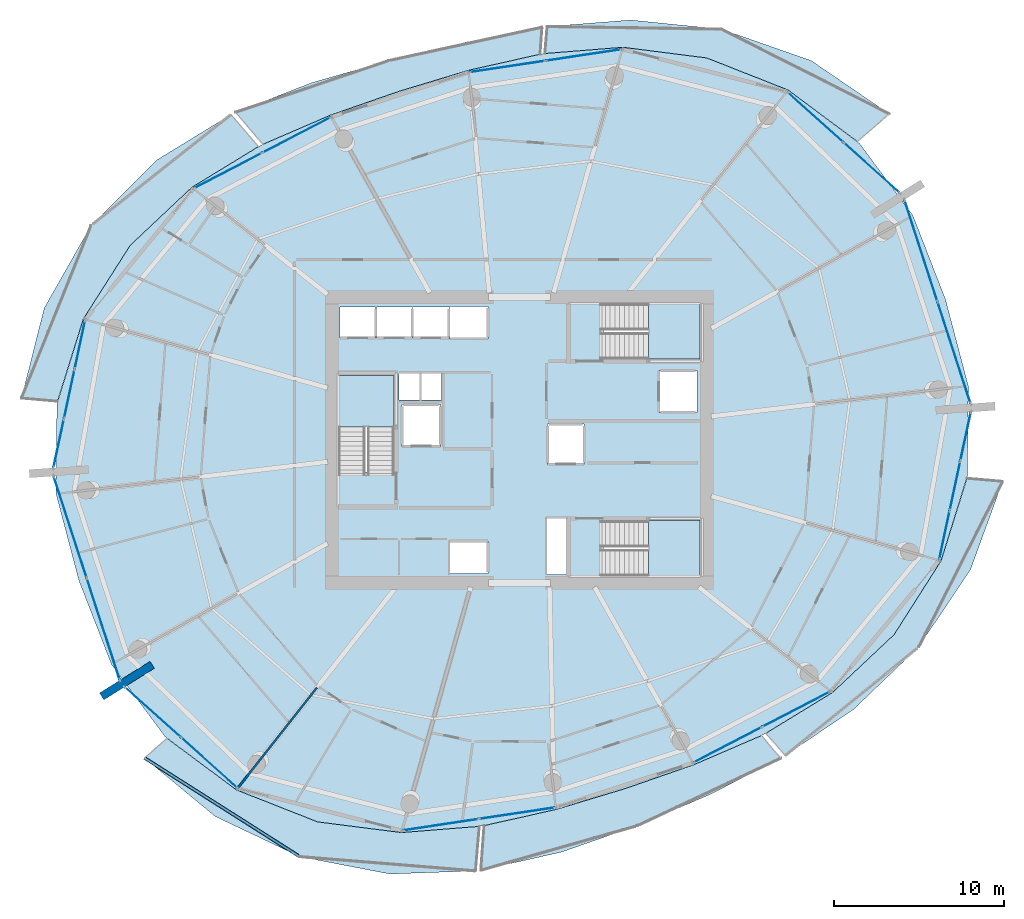
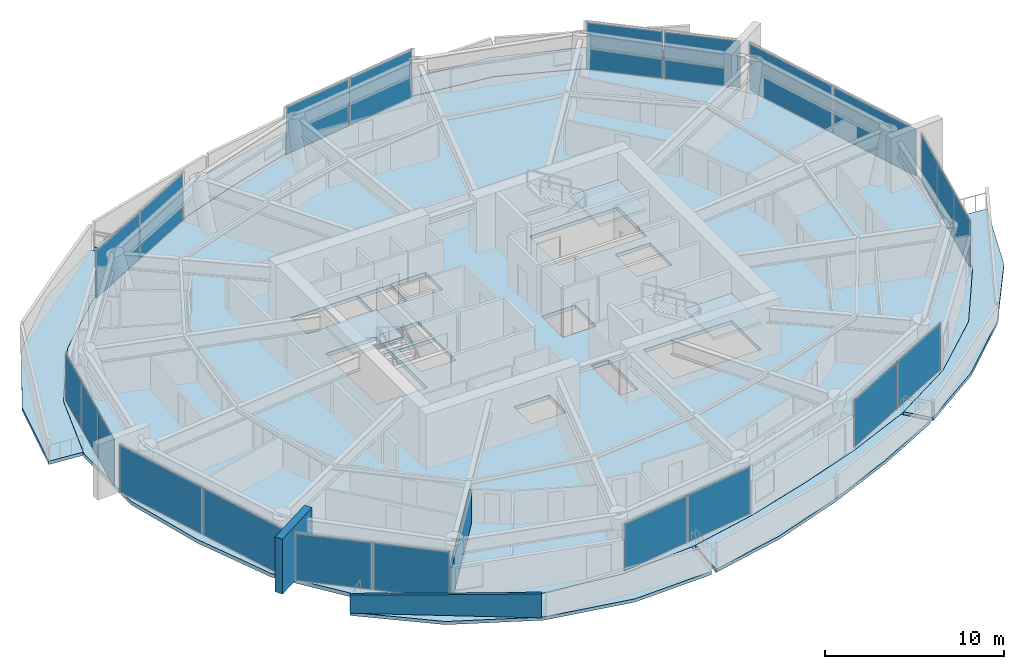
# One storey, part 9 of 19: 22 plates, 10 slabs, 3 walls, 13 elements without a shape of their own.
"""IFC4 building model written with IfcOpenShell, lengths in metres."""

from ifc_helpers import new_model, si_unit, direction, frame, frame_2d, origin, origin_2d, place, context, subcontext, project, spatial, polyline, rectangle, outline, extrude, material, layer, layer_set, type_object, element, aggregate, save


model = new_model("IFC4")

# Units and contexts
model_context = context("Model", 3, precision=1e-05, world=origin(), true_north=direction((0.0, 1.0)))
body_context = subcontext(model_context, "Body", "Model", "MODEL_VIEW")
ifc_project = project(units=[si_unit("LENGTHUNIT", "METRE"), si_unit("AREAUNIT", "SQUARE_METRE"), si_unit("VOLUMEUNIT", "CUBIC_METRE"), si_unit("PLANEANGLEUNIT", "RADIAN"), si_unit("MASSUNIT", "GRAM", prefix="KILO")], contexts=[model_context])

# Site, building, storey
site_placement = place(None, origin())
site = spatial("IfcSite", under=ifc_project, at=site_placement, CompositionType="ELEMENT")
building_placement = place(site_placement, origin())
building = spatial("IfcBuilding", under=site, at=building_placement, Name="Kazma Halo Residences", CompositionType="ELEMENT")
storey_placement = place(building_placement, frame((0.0, 0.0, 172.800048828125)))
storey = spatial("IfcBuildingStorey", under=building, at=storey_placement, Name="L43", CompositionType="ELEMENT", Elevation=172.800048828125)

# Curtain wall, plates
ifc_material_1 = material(Name="Aluminium AW-6063 T6 and Triple-Silver Low-E Glass", Category="aluminium")
ifc_layer_1 = layer(ifc_material_1, 0.219970703125)
ifc_layer_set_1 = layer_set([ifc_layer_1], Name="Aluminium AW-6063 T6 and Triple-Silver Low-E Glass")
curtain_wall_type = type_object("IfcCurtainWallType", Name="CW-SYS-4", PredefinedType="NOTDEFINED", material=ifc_layer_set_1)
curtain_wall_1_placement = place(storey_placement, origin())
curtain_wall_1 = element("IfcCurtainWall", 1, at=curtain_wall_1_placement, inside=storey, type_object=curtain_wall_type, Name="L43 unitised curtain wall B01", PredefinedType="NOTDEFINED")
ifc_material_2 = material(Name="Clear Triple-Silver Low-E Glass IGU", Category="glass")
ifc_layer_2 = layer(ifc_material_2, 0.033935546875)
ifc_layer_set_2 = layer_set([ifc_layer_2], Name="Clear Triple-Silver Low-E Glass IGU")
plate_type = type_object("IfcPlateType", Name="CW-SYS-4-PNL", PredefinedType="CURTAIN_PANEL", material=ifc_layer_set_2)
plate_1_placement = place(storey_placement, frame((69.126708984375, 58.008056640625, 0.0751953125), z_axis=(0.0, 0.0, 1.0), x_axis=(-0.744367582957, 0.667770096247, 0.0)))
plate_1 = element("IfcPlate", 2, at=plate_1_placement, type_object=plate_type, Name="CWS-4 panel 1.1", PredefinedType="CURTAIN_PANEL", context=body_context, shape_type="SweptSolid", body=[
    extrude(rectangle(XDim=4.36279296875, YDim=0.033935546875, at=origin_2d()), origin(), (0.0, 0.0, 1.0), 3.199951171875),
])
plate_2_placement = place(storey_placement, frame((65.823486328125, 60.971435546875, 0.0751953125), z_axis=(0.0, 0.0, 1.0), x_axis=(-0.744367582957, 0.667770096247, 0.0)))
plate_2 = element("IfcPlate", 3, at=plate_2_placement, type_object=plate_type, Name="CWS-4 panel 2.1", PredefinedType="CURTAIN_PANEL", context=body_context, shape_type="SweptSolid", body=[
    extrude(rectangle(XDim=4.36279296875, YDim=0.033935546875, at=origin_2d()), origin(), (0.0, 0.0, 1.0), 3.199951171875),
])
aggregate(curtain_wall_1, [plate_1, plate_2])

curtain_wall_2_placement = place(storey_placement, origin())
curtain_wall_2 = element("IfcCurtainWall", 4, at=curtain_wall_2_placement, inside=storey, type_object=curtain_wall_type, Name="L43 unitised curtain wall B03", PredefinedType="NOTDEFINED")
plate_3_placement = place(storey_placement, frame((52.200439453125, 64.625732421875, 0.0751953125), z_axis=(0.0, 0.0, 1.0), x_axis=(-0.988864148004, -0.148821022686, 0.0)))
plate_3 = element("IfcPlate", 5, at=plate_3_placement, type_object=plate_type, Name="CWS-4 panel 1.1", PredefinedType="CURTAIN_PANEL", context=body_context, shape_type="SweptSolid", body=[
    extrude(rectangle(XDim=4.4560546875, YDim=0.033935546875, at=origin_2d()), origin(), (0.0, 0.0, 1.0), 3.199951171875),
])
plate_4_placement = place(storey_placement, frame((47.7197265625, 63.951416015625, 0.0751953125), z_axis=(0.0, 0.0, 1.0), x_axis=(-0.988864148004, -0.148821022686, 0.0)))
plate_4 = element("IfcPlate", 6, at=plate_4_placement, type_object=plate_type, Name="CWS-4 panel 2.1", PredefinedType="CURTAIN_PANEL", context=body_context, shape_type="SweptSolid", body=[
    extrude(rectangle(XDim=4.4560546875, YDim=0.033935546875, at=origin_2d()), origin(), (0.0, 0.0, 1.0), 3.199951171875),
])
aggregate(curtain_wall_2, [plate_3, plate_4])

curtain_wall_3_placement = place(storey_placement, origin())
curtain_wall_3 = element("IfcCurtainWall", 7, at=curtain_wall_3_placement, inside=storey, type_object=curtain_wall_type, Name="L43 unitised curtain wall B05", PredefinedType="NOTDEFINED")
plate_5_placement = place(storey_placement, frame((35.323974609375, 59.923828125, 0.0751953125), z_axis=(0.0, 0.0, 1.0), x_axis=(-0.887484542306, -0.460837484552, 0.0)))
plate_5 = element("IfcPlate", 8, at=plate_5_placement, type_object=plate_type, Name="CWS-4 panel 1.1", PredefinedType="CURTAIN_PANEL", context=body_context, shape_type="SweptSolid", body=[
    extrude(rectangle(XDim=4.4560546875, YDim=0.033935546875, at=origin_2d()), origin(), (0.0, 0.0, 1.0), 3.199951171875),
])
plate_6_placement = place(storey_placement, frame((31.302734375, 57.835693359375, 0.0751953125), z_axis=(0.0, 0.0, 1.0), x_axis=(-0.887484542306, -0.460837484552, 0.0)))
plate_6 = element("IfcPlate", 9, at=plate_6_placement, type_object=plate_type, Name="CWS-4 panel 2.1", PredefinedType="CURTAIN_PANEL", context=body_context, shape_type="SweptSolid", body=[
    extrude(rectangle(XDim=4.4560546875, YDim=0.033935546875, at=origin_2d()), origin(), (0.0, 0.0, 1.0), 3.199951171875),
])
aggregate(curtain_wall_3, [plate_5, plate_6])

curtain_wall_4_placement = place(storey_placement, origin())
curtain_wall_4 = element("IfcCurtainWall", 10, at=curtain_wall_4_placement, inside=storey, type_object=curtain_wall_type, Name="L43 unitised curtain wall B07", PredefinedType="NOTDEFINED")
plate_7_placement = place(storey_placement, frame((22.5859375, 47.601318359375, 0.0751953125), z_axis=(0.0, 0.0, 1.0), x_axis=(-0.209703809037, -0.977764957684, 0.0)))
plate_7 = element("IfcPlate", 11, at=plate_7_placement, type_object=plate_type, Name="CWS-4 panel 1.1", PredefinedType="CURTAIN_PANEL", context=body_context, shape_type="SweptSolid", body=[
    extrude(rectangle(XDim=2.87109375, YDim=0.033935546875, at=origin_2d()), origin(), (0.0, 0.0, 1.0), 3.199951171875),
])
plate_8_placement = place(storey_placement, frame((21.964111328125, 44.702392578125, 0.0751953125), z_axis=(0.0, 0.0, 1.0), x_axis=(-0.209703809037, -0.977764957684, 0.0)))
plate_8 = element("IfcPlate", 12, at=plate_8_placement, type_object=plate_type, Name="CWS-4 panel 2.1", PredefinedType="CURTAIN_PANEL", context=body_context, shape_type="SweptSolid", body=[
    extrude(rectangle(XDim=2.90869140625, YDim=0.033935546875, at=origin_2d()), origin(), (0.0, 0.0, 1.0), 3.199951171875),
])
plate_9_placement = place(storey_placement, frame((21.34228515625, 41.803466796875, 0.0751953125), z_axis=(0.0, 0.0, 1.0), x_axis=(-0.209703809037, -0.977764957684, 0.0)))
plate_9 = element("IfcPlate", 13, at=plate_9_placement, type_object=plate_type, Name="CWS-4 panel 3.1", PredefinedType="CURTAIN_PANEL", context=body_context, shape_type="SweptSolid", body=[
    extrude(rectangle(XDim=2.87109375, YDim=0.033935546875, at=origin_2d()), origin(), (0.0, 0.0, 1.0), 3.199951171875),
])
aggregate(curtain_wall_4, [plate_7, plate_8, plate_9])

curtain_wall_5_placement = place(storey_placement, origin())
curtain_wall_5 = element("IfcCurtainWall", 14, at=curtain_wall_5_placement, inside=storey, type_object=curtain_wall_type, Name="L43 unitised curtain wall B08", PredefinedType="NOTDEFINED")
plate_10_placement = place(storey_placement, frame((22.017578125, 36.869873046875, 0.0751953125), z_axis=(0.0, 0.0, 1.0), x_axis=(0.3090138203, -0.951057547609, 0.0)))
plate_10 = element("IfcPlate", 15, at=plate_10_placement, type_object=plate_type, Name="CWS-4 panel 1.1", PredefinedType="CURTAIN_PANEL", context=body_context, shape_type="SweptSolid", body=[
    extrude(rectangle(XDim=6.224853515625, YDim=0.033935546875, at=origin_2d()), origin(), (0.0, 0.0, 1.0), 3.199951171875),
])
plate_11_placement = place(storey_placement, frame((23.96435546875, 30.878173828125, 0.0751953125), z_axis=(0.0, 0.0, 1.0), x_axis=(0.3090138203, -0.951057547609, 0.0)))
plate_11 = element("IfcPlate", 16, at=plate_11_placement, type_object=plate_type, Name="CWS-4 panel 2.1", PredefinedType="CURTAIN_PANEL", context=body_context, shape_type="SweptSolid", body=[
    extrude(rectangle(XDim=6.224853515625, YDim=0.033935546875, at=origin_2d()), origin(), (0.0, 0.0, 1.0), 3.199951171875),
])
aggregate(curtain_wall_5, [plate_10, plate_11])

curtain_wall_6_placement = place(storey_placement, origin())
curtain_wall_6 = element("IfcCurtainWall", 17, at=curtain_wall_6_placement, inside=storey, type_object=curtain_wall_type, Name="L43 unitised curtain wall B09", PredefinedType="NOTDEFINED")
plate_12_placement = place(storey_placement, frame((26.873291015625, 25.991943359375, 0.0751953125), z_axis=(0.0, 0.0, 1.0), x_axis=(0.744367582957, -0.667770096247, 0.0)))
plate_12 = element("IfcPlate", 18, at=plate_12_placement, type_object=plate_type, Name="CWS-4 panel 1.1", PredefinedType="CURTAIN_PANEL", context=body_context, shape_type="SweptSolid", body=[
    extrude(rectangle(XDim=4.36279296875, YDim=0.033935546875, at=origin_2d()), origin(), (0.0, 0.0, 1.0), 3.199951171875),
])
plate_13_placement = place(storey_placement, frame((30.176513671875, 23.028564453125, 0.0751953125), z_axis=(0.0, 0.0, 1.0), x_axis=(0.744367582957, -0.667770096247, 0.0)))
plate_13 = element("IfcPlate", 19, at=plate_13_placement, type_object=plate_type, Name="CWS-4 panel 2.1", PredefinedType="CURTAIN_PANEL", context=body_context, shape_type="SweptSolid", body=[
    extrude(rectangle(XDim=4.36279296875, YDim=0.033935546875, at=origin_2d()), origin(), (0.0, 0.0, 1.0), 3.199951171875),
])
aggregate(curtain_wall_6, [plate_12, plate_13])

curtain_wall_7_placement = place(storey_placement, origin())
curtain_wall_7 = element("IfcCurtainWall", 20, at=curtain_wall_7_placement, inside=storey, type_object=curtain_wall_type, Name="L43 unitised curtain wall B11", PredefinedType="NOTDEFINED")
plate_14_placement = place(storey_placement, frame((43.799560546875, 19.374267578125, 0.0751953125), z_axis=(0.0, 0.0, 1.0), x_axis=(0.988864148004, 0.148821022686, 0.0)))
plate_14 = element("IfcPlate", 21, at=plate_14_placement, type_object=plate_type, Name="CWS-4 panel 1.1", PredefinedType="CURTAIN_PANEL", context=body_context, shape_type="SweptSolid", body=[
    extrude(rectangle(XDim=4.4560546875, YDim=0.033935546875, at=origin_2d()), origin(), (0.0, 0.0, 1.0), 3.199951171875),
])
plate_15_placement = place(storey_placement, frame((48.2802734375, 20.048583984375, 0.0751953125), z_axis=(0.0, 0.0, 1.0), x_axis=(0.988864148004, 0.148821022686, 0.0)))
plate_15 = element("IfcPlate", 22, at=plate_15_placement, type_object=plate_type, Name="CWS-4 panel 2.1", PredefinedType="CURTAIN_PANEL", context=body_context, shape_type="SweptSolid", body=[
    extrude(rectangle(XDim=4.4560546875, YDim=0.033935546875, at=origin_2d()), origin(), (0.0, 0.0, 1.0), 3.199951171875),
])
aggregate(curtain_wall_7, [plate_14, plate_15])

curtain_wall_8_placement = place(storey_placement, origin())
curtain_wall_8 = element("IfcCurtainWall", 23, at=curtain_wall_8_placement, inside=storey, type_object=curtain_wall_type, Name="L43 unitised curtain wall B13", PredefinedType="NOTDEFINED")
plate_16_placement = place(storey_placement, frame((60.676025390625, 24.076171875, 0.0751953125), z_axis=(0.0, 0.0, 1.0), x_axis=(0.887484542306, 0.460837484552, 0.0)))
plate_16 = element("IfcPlate", 24, at=plate_16_placement, type_object=plate_type, Name="CWS-4 panel 1.1", PredefinedType="CURTAIN_PANEL", context=body_context, shape_type="SweptSolid", body=[
    extrude(rectangle(XDim=4.4560546875, YDim=0.033935546875, at=origin_2d()), origin(), (0.0, 0.0, 1.0), 3.199951171875),
])
plate_17_placement = place(storey_placement, frame((64.697265625, 26.164306640625, 0.0751953125), z_axis=(0.0, 0.0, 1.0), x_axis=(0.887484542306, 0.460837484552, 0.0)))
plate_17 = element("IfcPlate", 25, at=plate_17_placement, type_object=plate_type, Name="CWS-4 panel 2.1", PredefinedType="CURTAIN_PANEL", context=body_context, shape_type="SweptSolid", body=[
    extrude(rectangle(XDim=4.4560546875, YDim=0.033935546875, at=origin_2d()), origin(), (0.0, 0.0, 1.0), 3.199951171875),
])
aggregate(curtain_wall_8, [plate_16, plate_17])

curtain_wall_9_placement = place(storey_placement, origin())
curtain_wall_9 = element("IfcCurtainWall", 26, at=curtain_wall_9_placement, inside=storey, type_object=curtain_wall_type, Name="L43 unitised curtain wall B15", PredefinedType="NOTDEFINED")
plate_18_placement = place(storey_placement, frame((73.4140625, 36.398681640625, 0.0751953125), z_axis=(0.0, 0.0, 1.0), x_axis=(0.209703809037, 0.977764957684, 0.0)))
plate_18 = element("IfcPlate", 27, at=plate_18_placement, type_object=plate_type, Name="CWS-4 panel 1.1", PredefinedType="CURTAIN_PANEL", context=body_context, shape_type="SweptSolid", body=[
    extrude(rectangle(XDim=2.87109375, YDim=0.033935546875, at=origin_2d()), origin(), (0.0, 0.0, 1.0), 3.199951171875),
])
plate_19_placement = place(storey_placement, frame((74.035888671875, 39.297607421875, 0.0751953125), z_axis=(0.0, 0.0, 1.0), x_axis=(0.209703809037, 0.977764957684, 0.0)))
plate_19 = element("IfcPlate", 28, at=plate_19_placement, type_object=plate_type, Name="CWS-4 panel 2.1", PredefinedType="CURTAIN_PANEL", context=body_context, shape_type="SweptSolid", body=[
    extrude(rectangle(XDim=2.90869140625, YDim=0.033935546875, at=origin_2d()), origin(), (0.0, 0.0, 1.0), 3.199951171875),
])
plate_20_placement = place(storey_placement, frame((74.65771484375, 42.196533203125, 0.0751953125), z_axis=(0.0, 0.0, 1.0), x_axis=(0.209703809037, 0.977764957684, 0.0)))
plate_20 = element("IfcPlate", 29, at=plate_20_placement, type_object=plate_type, Name="CWS-4 panel 3.1", PredefinedType="CURTAIN_PANEL", context=body_context, shape_type="SweptSolid", body=[
    extrude(rectangle(XDim=2.87109375, YDim=0.033935546875, at=origin_2d()), origin(), (0.0, 0.0, 1.0), 3.199951171875),
])
aggregate(curtain_wall_9, [plate_18, plate_19, plate_20])

curtain_wall_10_placement = place(storey_placement, origin())
curtain_wall_10 = element("IfcCurtainWall", 30, at=curtain_wall_10_placement, inside=storey, type_object=curtain_wall_type, Name="L43 unitised curtain wall B16", PredefinedType="NOTDEFINED")
plate_21_placement = place(storey_placement, frame((73.982421875, 47.130126953125, 0.0751953125), z_axis=(0.0, 0.0, 1.0), x_axis=(-0.3090138203, 0.951057547609, 0.0)))
plate_21 = element("IfcPlate", 31, at=plate_21_placement, type_object=plate_type, Name="CWS-4 panel 1.1", PredefinedType="CURTAIN_PANEL", context=body_context, shape_type="SweptSolid", body=[
    extrude(rectangle(XDim=6.224853515625, YDim=0.033935546875, at=origin_2d()), origin(), (0.0, 0.0, 1.0), 3.199951171875),
])
plate_22_placement = place(storey_placement, frame((72.03564453125, 53.121826171875, 0.0751953125), z_axis=(0.0, 0.0, 1.0), x_axis=(-0.3090138203, 0.951057547609, 0.0)))
plate_22 = element("IfcPlate", 32, at=plate_22_placement, type_object=plate_type, Name="CWS-4 panel 2.1", PredefinedType="CURTAIN_PANEL", context=body_context, shape_type="SweptSolid", body=[
    extrude(rectangle(XDim=6.224853515625, YDim=0.033935546875, at=origin_2d()), origin(), (0.0, 0.0, 1.0), 3.199951171875),
])
aggregate(curtain_wall_10, [plate_21, plate_22])

# Slabs
ifc_material_3 = material(Name="White Concrete C50/60", Category="concrete")
ifc_layer_3 = layer(ifc_material_3, 0.219970703125)
ifc_layer_set_3 = layer_set([ifc_layer_3], Name="White Concrete C50/60")
slab_type_1 = type_object("IfcSlabType", Name="SLB-BAL-WAVE-210", PredefinedType="FLOOR", material=ifc_layer_set_3)
slab_1_placement = place(storey_placement, frame((0.0, 0.0, -0.219970703125)))
element("IfcSlab", 33, at=slab_1_placement, inside=storey, type_object=slab_type_1, Name="L43 NE cantilevered wave balcony slab", PredefinedType="FLOOR", context=body_context, shape_type="SweptSolid", body=[
    extrude(outline(polyline([(68.294677734375, 59.548583984375), (64.21923828125, 62.573974609375), (59.442626953125, 64.45751953125), (54.510986328125, 65.0859375), (49.927978515625, 64.720458984375), (50.062255859375, 66.3037109375), (54.962890625, 66.68896484375), (60.3046875, 66.1494140625), (65.580810546875, 64.30126953125), (70.169921875, 61.170166015625), (68.294677734375, 59.548583984375)])), origin(), (0.0, 0.0, 1.0), 0.219970703125),
])
slab_2_placement = place(storey_placement, frame((0.0, 0.0, -0.219970703125)))
element("IfcSlab", 34, at=slab_2_placement, inside=storey, type_object=slab_type_1, Name="L43 NNW cantilevered wave balcony slab", PredefinedType="FLOOR", context=body_context, shape_type="SweptSolid", body=[
    extrude(outline(polyline([(49.6455078125, 64.67822265625), (45.427978515625, 63.72998046875), (41.3408203125, 62.494873046875), (37.30810546875, 61.091552734375), (33.3388671875, 59.3798828125), (31.749267578125, 61.264404296875), (36.2333984375, 63.010498046875), (40.75390625, 64.30078125), (45.232421875, 65.3837890625), (49.76025390625, 66.258544921875), (49.6455078125, 64.67822265625)])), origin(), (0.0, 0.0, 1.0), 0.219970703125),
])
slab_3_placement = place(storey_placement, frame((0.0, 0.0, -0.219970703125)))
element("IfcSlab", 35, at=slab_3_placement, inside=storey, type_object=slab_type_1, Name="L43 NW cantilevered wave balcony slab", PredefinedType="FLOOR", context=body_context, shape_type="SweptSolid", body=[
    extrude(outline(polyline([(33.08544921875, 59.248046875), (29.1630859375, 56.849853515625), (25.54248046875, 53.442626953125), (22.78515625, 49.111328125), (21.2666015625, 44.268310546875), (19.146484375, 44.4482421875), (20.48779296875, 49.75927734375), (23.2451171875, 54.61328125), (27.114990234375, 58.464599609375), (31.46142578125, 61.12646484375), (33.08544921875, 59.248046875)])), origin(), (0.0, 0.0, 1.0), 0.219970703125),
])
slab_4_placement = place(storey_placement, frame((0.0, 0.0, -0.219970703125)))
element("IfcSlab", 36, at=slab_4_placement, inside=storey, type_object=slab_type_1, Name="L43 SW cantilevered wave balcony slab", PredefinedType="FLOOR", context=body_context, shape_type="SweptSolid", body=[
    extrude(outline(polyline([(27.705322265625, 24.451416015625), (31.78076171875, 21.426025390625), (36.557373046875, 19.54248046875), (41.489013671875, 18.9140625), (46.072021484375, 19.279541015625), (45.849853515625, 16.66015625), (40.80224609375, 16.478759765625), (35.5146484375, 17.49609375), (30.544677734375, 19.85791015625), (26.376220703125, 23.302001953125), (27.705322265625, 24.451416015625)])), origin(), (0.0, 0.0, 1.0), 0.219970703125),
])
slab_5_placement = place(storey_placement, frame((0.0, 0.0, -0.219970703125)))
element("IfcSlab", 37, at=slab_5_placement, inside=storey, type_object=slab_type_1, Name="L43 SSE cantilevered wave balcony slab", PredefinedType="FLOOR", context=body_context, shape_type="SweptSolid", body=[
    extrude(outline(polyline([(46.3544921875, 19.32177734375), (50.572021484375, 20.27001953125), (54.6591796875, 21.505126953125), (58.69189453125, 22.908447265625), (62.6611328125, 24.6201171875), (63.785400390625, 23.287353515625), (59.667236328125, 21.16650390625), (55.368896484375, 19.320556640625), (50.869384765625, 17.75732421875), (46.16455078125, 16.704345703125), (46.3544921875, 19.32177734375)])), origin(), (0.0, 0.0, 1.0), 0.219970703125),
])
slab_6_placement = place(storey_placement, frame((0.0, 0.0, -0.219970703125)))
element("IfcSlab", 38, at=slab_6_placement, inside=storey, type_object=slab_type_1, Name="L43 SE cantilevered wave balcony slab", PredefinedType="FLOOR", context=body_context, shape_type="SweptSolid", body=[
    extrude(outline(polyline([(62.91455078125, 24.751953125), (66.8369140625, 27.150146484375), (70.45751953125, 30.557373046875), (73.21484375, 34.888671875), (74.7333984375, 39.731689453125), (76.834716796875, 39.55322265625), (74.9560546875, 34.397705078125), (71.898681640625, 29.822998046875), (68.083984375, 26.1669921875), (64.048828125, 23.43994140625), (62.91455078125, 24.751953125)])), origin(), (0.0, 0.0, 1.0), 0.219970703125),
])
ifc_material_4 = material(Name="Concrete C50/60", Category="concrete")
ifc_layer_4 = layer(ifc_material_4, 0.25)
ifc_layer_set_4 = layer_set([ifc_layer_4], Name="Concrete C50/60")
slab_type_2 = type_object("IfcSlabType", Name="SLB-RES-250", PredefinedType="FLOOR", material=ifc_layer_set_4)
slab_7_placement = place(storey_placement, frame((0.0, 0.0, -0.25)))
element("IfcSlab", 39, at=slab_7_placement, inside=storey, type_object=slab_type_2, Name="L43 structural floor slab", PredefinedType="FLOOR", context=body_context, shape_type="SweptSolid", body=[
    extrude(outline(polyline([(73.47265625, 50.276611328125), (71.56201171875, 55.1953125), (68.41796875, 59.438720703125), (64.218017578125, 62.572509765625), (59.441650390625, 64.45556640625), (54.510498046875, 65.083984375), (49.787109375, 64.706298828125), (45.42822265625, 63.727783203125), (41.341552734375, 62.492919921875), (37.30908203125, 61.08984375), (33.2080078125, 59.3193359375), (29.16455078125, 56.8486328125), (25.54443359375, 53.441650390625), (22.787109375, 49.110595703125), (21.2314453125, 44.106689453125), (21.181884765625, 38.825927734375), (22.52734375, 33.723388671875), (24.43798828125, 28.8046875), (27.58203125, 24.561279296875), (31.781982421875, 21.427490234375), (36.558349609375, 19.54443359375), (41.489501953125, 18.916015625), (46.212890625, 19.293701171875), (50.57177734375, 20.272216796875), (54.658447265625, 21.507080078125), (58.69091796875, 22.91015625), (62.7919921875, 24.6806640625), (66.83544921875, 27.1513671875), (70.45556640625, 30.558349609375), (73.212890625, 34.889404296875), (74.7685546875, 39.893310546875), (74.818115234375, 45.174072265625), (73.47265625, 50.276611328125)]), holes=[polyline([(37.800048828125, 40.110107421875), (41.050048828125, 40.110107421875), (41.050048828125, 45.800048828125), (37.800048828125, 45.800048828125), (37.800048828125, 40.110107421875)]), polyline([(53.360107421875, 46.75), (59.050048828125, 46.75), (59.050048828125, 50.0), (53.360107421875, 50.0), (53.360107421875, 46.75)]), polyline([(53.360107421875, 34.0), (59.050048828125, 34.0), (59.050048828125, 37.25), (53.360107421875, 37.25), (53.360107421875, 34.0)]), polyline([(41.52001953125, 41.6201171875), (43.780029296875, 41.6201171875), (43.780029296875, 44.080078125), (41.52001953125, 44.080078125), (41.52001953125, 41.6201171875)]), polyline([(56.6201171875, 43.6201171875), (58.8798828125, 43.6201171875), (58.8798828125, 46.080078125), (56.6201171875, 46.080078125), (56.6201171875, 43.6201171875)]), polyline([(37.864990234375, 47.9951171875), (39.97509765625, 47.9951171875), (39.97509765625, 49.804931640625), (37.864990234375, 49.804931640625), (37.864990234375, 47.9951171875)]), polyline([(40.014892578125, 47.9951171875), (42.125, 47.9951171875), (42.125, 49.804931640625), (40.014892578125, 49.804931640625), (40.014892578125, 47.9951171875)]), polyline([(42.1650390625, 47.9951171875), (44.27490234375, 47.9951171875), (44.27490234375, 49.804931640625), (42.1650390625, 49.804931640625), (42.1650390625, 47.9951171875)]), polyline([(44.320068359375, 47.945068359375), (46.580078125, 47.945068359375), (46.580078125, 49.85498046875), (44.320068359375, 49.85498046875), (44.320068359375, 47.945068359375)]), polyline([(44.320068359375, 34.14501953125), (46.580078125, 34.14501953125), (46.580078125, 36.054931640625), (44.320068359375, 36.054931640625), (44.320068359375, 34.14501953125)]), polyline([(50.070068359375, 40.570068359375), (52.22998046875, 40.570068359375), (52.22998046875, 42.929931640625), (50.070068359375, 42.929931640625), (50.070068359375, 40.570068359375)]), polyline([(41.360107421875, 44.340087890625), (42.5400390625, 44.340087890625), (42.5400390625, 45.89990234375), (41.360107421875, 45.89990234375), (41.360107421875, 44.340087890625)]), polyline([(42.659912109375, 44.340087890625), (43.840087890625, 44.340087890625), (43.840087890625, 45.89990234375), (42.659912109375, 45.89990234375), (42.659912109375, 44.340087890625)]), polyline([(50.06005859375, 34.080078125), (51.159912109375, 34.080078125), (51.159912109375, 37.3798828125), (50.06005859375, 37.3798828125), (50.06005859375, 34.080078125)])]), origin(), (0.0, 0.0, 1.0), 0.25),
])

# Stair, slab
stair_type = type_object("IfcStairType", Name="STR-RES1", PredefinedType="HALF_TURN_STAIR", material=ifc_material_4)
stair_1_placement = place(storey_placement, origin())
stair_1 = element("IfcStair", 40, at=stair_1_placement, inside=storey, type_object=stair_type, Name="L43 Core exit stair ST-01", PredefinedType="HALF_TURN_STAIR")
ifc_layer_5 = layer(ifc_material_4, 0.199951171875)
ifc_layer_set_5 = layer_set([ifc_layer_5], Name="Concrete C50/60")
slab_type_3 = type_object("IfcSlabType", Name="SLB-STAIR-LND-200", PredefinedType="LANDING", material=ifc_layer_set_5)
slab_8_placement = place(storey_placement, frame((0.0, 0.0, 1.675048828125)))
slab_8 = element("IfcSlab", 41, at=slab_8_placement, type_object=slab_type_3, Name="ST-01 landing 1", PredefinedType="LANDING", context=body_context, shape_type="SweptSolid", body=[
    extrude(outline(polyline([(41.050048828125, 42.75), (41.050048828125, 45.800048828125), (37.800048828125, 45.800048828125), (37.800048828125, 42.75), (41.050048828125, 42.75)])), origin(), (0.0, 0.0, 1.0), 0.199951171875),
])
aggregate(stair_1, [slab_8])

stair_2_placement = place(storey_placement, origin())
stair_2 = element("IfcStair", 42, at=stair_2_placement, inside=storey, type_object=stair_type, Name="L43 Core exit stair ST-02", PredefinedType="HALF_TURN_STAIR")
slab_9_placement = place(storey_placement, frame((0.0, 0.0, 1.675048828125)))
slab_9 = element("IfcSlab", 43, at=slab_9_placement, type_object=slab_type_3, Name="ST-02 landing 1", PredefinedType="LANDING", context=body_context, shape_type="SweptSolid", body=[
    extrude(outline(polyline([(56.0, 46.75), (59.050048828125, 46.75), (59.050048828125, 50.0), (56.0, 50.0), (56.0, 46.75)])), origin(), (0.0, 0.0, 1.0), 0.199951171875),
])
aggregate(stair_2, [slab_9])

stair_3_placement = place(storey_placement, origin())
stair_3 = element("IfcStair", 44, at=stair_3_placement, inside=storey, type_object=stair_type, Name="L43 Core exit stair ST-03", PredefinedType="HALF_TURN_STAIR")
slab_10_placement = place(storey_placement, frame((0.0, 0.0, 1.675048828125)))
slab_10 = element("IfcSlab", 45, at=slab_10_placement, type_object=slab_type_3, Name="ST-03 landing 1", PredefinedType="LANDING", context=body_context, shape_type="SweptSolid", body=[
    extrude(outline(polyline([(56.0, 34.0), (59.050048828125, 34.0), (59.050048828125, 37.25), (56.0, 37.25), (56.0, 34.0)])), origin(), (0.0, 0.0, 1.0), 0.199951171875),
])
aggregate(stair_3, [slab_10])

# Walls
ifc_material_5 = material(Name="White Concrete C50/60 Balustrade", Category="concrete")
ifc_layer_6 = layer(ifc_material_5, 0.179931640625)
ifc_layer_set_6 = layer_set([ifc_layer_6], Name="White Concrete C50/60 Balustrade")
wall_type_1 = type_object("IfcWallType", Name="WL-BAL-WAVE-180", PredefinedType="PARAPET", material=ifc_layer_set_6)
wall_1_placement = place(storey_placement, frame((26.376220703125, 23.302001953125, 0.0), z_axis=(0.0, 0.0, 1.0), x_axis=(0.844049978771, -0.536264518066, 0.0)))
element("IfcWall", 46, at=wall_1_placement, inside=storey, type_object=wall_type_1, Name="L43 white wave balustrade wall SW.1", PredefinedType="PARAPET", context=body_context, shape_type="SweptSolid", body=[
    extrude(outline(polyline([(0.0, 0.0), (10.706787109375, 0.0), (10.706787109375, 1.6318359375), (5.353271484375, 1.41796875), (0.0, 1.23291015625), (0.0, 0.0)])), frame((0.0, 0.08984375, 0.0), z_axis=(0.0, -1.0, 0.0), x_axis=(1.0, 0.0, 0.0)), (0.0, 0.0, 1.0), 0.179931640625),
])
ifc_material_6 = material(Name="Pale Concrete C60/75", Category="concrete")
ifc_layer_7 = layer(ifc_material_6, 0.47998046875)
ifc_layer_set_7 = layer_set([ifc_layer_7], Name="Pale Concrete C60/75")
wall_type_2 = type_object("IfcWallType", Name="WL-BLADE-480", PredefinedType="SOLIDWALL", material=ifc_layer_set_7)
wall_2_placement = place(storey_placement, frame((26.834716796875, 28.7744140625, 0.0), z_axis=(0.0, 0.0, 1.0), x_axis=(-0.848053161125, -0.529911158502, 0.0)))
element("IfcWall", 47, at=wall_2_placement, inside=storey, type_object=wall_type_2, Name="L43 pale concrete structural blade fin wall BW-03", PredefinedType="SOLIDWALL", context=body_context, shape_type="SweptSolid", body=[
    extrude(rectangle(XDim=3.5, YDim=0.47998046875, at=frame_2d((1.75, 0.0))), origin(), (0.0, 0.0, 1.0), 3.75),
])
ifc_material_7 = material(Name="Gypsum Plasterboard Partition")
ifc_layer_8 = layer(ifc_material_7, 0.125)
ifc_layer_set_8 = layer_set([ifc_layer_8], Name="Gypsum Plasterboard Partition")
wall_type_3 = type_object("IfcWallType", Name="WL-PART-125", PredefinedType="PARTITIONING", material=ifc_layer_set_8)
wall_3_placement = place(storey_placement, frame((36.522705078125, 27.44091796875, 0.0), z_axis=(0.0, 0.0, 1.0), x_axis=(-0.619110986016, -0.785303499925, 0.0)))
element("IfcWall", 48, at=wall_3_placement, inside=storey, type_object=wall_type_3, Name="L43 Apartment 1 radial partition 9", PredefinedType="PARTITIONING", context=body_context, shape_type="SweptSolid", body=[
    extrude(rectangle(XDim=7.5126953125, YDim=0.125, at=frame_2d((3.75634765625, 0.0))), origin(), (0.0, 0.0, 1.0), 2.306884765625),
])

save(model, "model.ifc")
